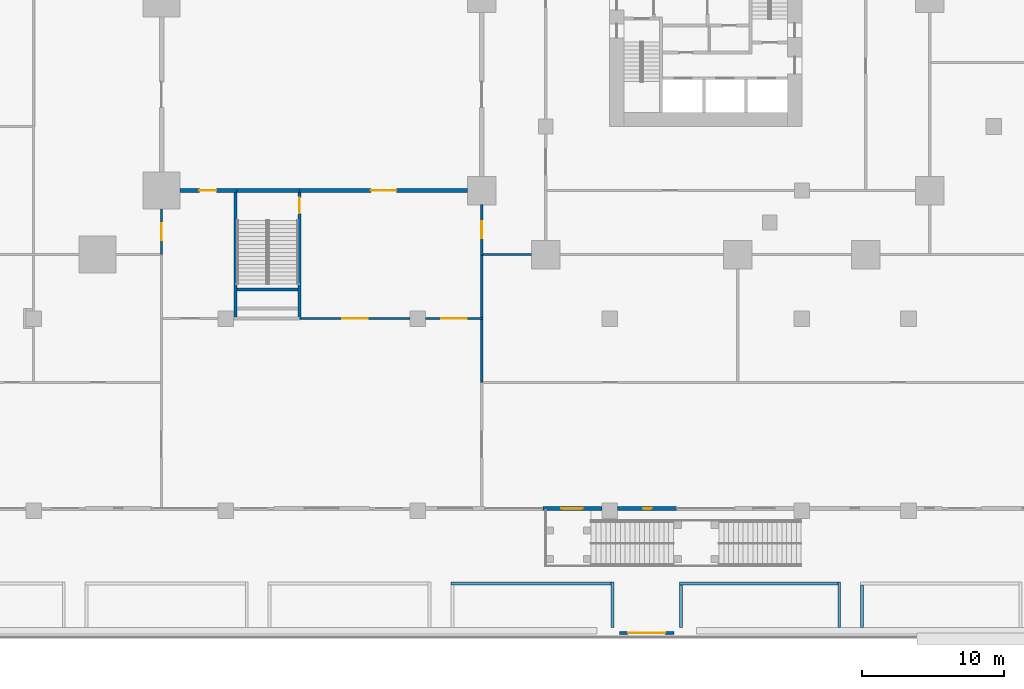
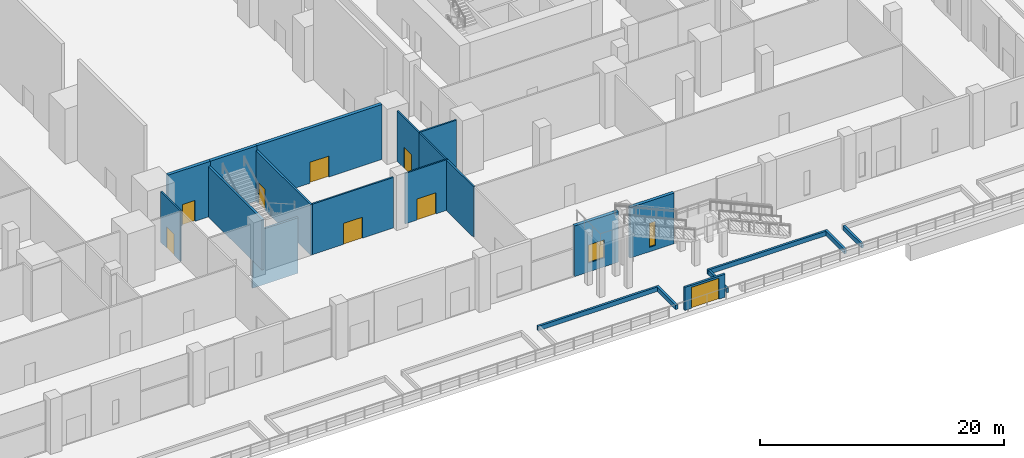
# One storey, part 28 of 47: 22 walls, 8 doors, 2 windows, 10 openings.
"""IFC4 building model written with IfcOpenShell, lengths in metres."""

from ifc_helpers import new_model, si_unit, direction, frame, frame_2d, origin, place, context, subcontext, project, spatial, rectangle, extrude, material, layer, layer_set, type_object, element, fill, save


model = new_model("IFC4")

# Units and contexts
model_context = context("Model", 3, precision=1e-05, world=origin(), true_north=direction((0.0, 1.0)))
body_context = subcontext(model_context, "Body", "Model", "MODEL_VIEW")
ifc_project = project(units=[si_unit("LENGTHUNIT", "METRE"), si_unit("AREAUNIT", "SQUARE_METRE"), si_unit("VOLUMEUNIT", "CUBIC_METRE"), si_unit("PLANEANGLEUNIT", "RADIAN"), si_unit("MASSUNIT", "GRAM", prefix="KILO")], contexts=[model_context])

# Site, building, storey
site_placement = place(None, origin())
site = spatial("IfcSite", under=ifc_project, at=site_placement, CompositionType="ELEMENT")
building_placement = place(site_placement, origin())
building = spatial("IfcBuilding", under=site, at=building_placement, Name="Altepetl Exchange Towers", CompositionType="ELEMENT")
storey_placement = place(building_placement, frame((0.0, 0.0, 6.0)))
storey = spatial("IfcBuildingStorey", under=building, at=storey_placement, Name="L01 Retail podium", CompositionType="ELEMENT", Elevation=6.0)

# Wall, opening, door
ifc_material_1 = material(Name="Reinforced concrete C35/45", Category="concrete")
ifc_layer_1 = layer(ifc_material_1, 0.300048828125)
ifc_layer_set_1 = layer_set([ifc_layer_1], Name="Reinforced concrete C35/45")
wall_type_1 = type_object("IfcWallType", Name="Exchange hall wall 300", PredefinedType="SOLIDWALL", material=ifc_layer_set_1)
wall_1_placement = place(storey_placement, frame((81.60009765625, 31.5, 0.0)))
wall_1 = element("IfcWall", 1, at=wall_1_placement, inside=storey, type_object=wall_type_1, Name="wall:P:L01:P009", PredefinedType="SOLIDWALL", context=body_context, shape_type="SweptSolid", body=[
    extrude(rectangle(XDim=11.90478515625, YDim=0.300048828125, at=frame_2d((5.952392578125, 0.0))), origin(), (0.0, 0.0, 1.0), 5.5),
])
opening_1_placement = place(wall_1_placement, frame((5.10009765625, 0.0, 0.0)))
opening_1 = element("IfcOpeningElement", 2, at=opening_1_placement, cuts=wall_1, Name="Opening L01.P032", PredefinedType="OPENING", context=body_context, shape_type="SweptSolid", body=[
    extrude(rectangle(XDim=1.800048828125, YDim=2.10009765625, at=frame_2d((0.89990234375, 1.050048828125))), frame((0.0, 0.16015625, 0.0), z_axis=(0.0, -1.0, 0.0), x_axis=(1.0, 0.0, 0.0)), (0.0, 0.0, 1.0), 0.320068359375),
])
ifc_material_2 = material(Name="Glazed aluminium and steel", Category="steel")
door_type_1 = type_object("IfcDoorType", Name="Podium fire door 1800 x 2100 double leaf", OperationType="DOUBLE_DOOR_SINGLE_SWING", PredefinedType="DOOR", material=ifc_material_2)
door_1_placement = place(opening_1_placement, frame((1.800048828125, 0.0, 0.0), x_axis=(-1.0, 0.0, 0.0)))
door_1 = element("IfcDoor", 3, at=door_1_placement, inside=storey, type_object=door_type_1, Name="door:P:L01:032", OperationType="DOUBLE_DOOR_SINGLE_SWING", OverallHeight=2.10009765625, OverallWidth=1.800048828125, PredefinedType="DOOR", context=body_context, shape_type="SweptSolid", body=[
    extrude(rectangle(XDim=1.800048828125, YDim=2.10009765625, at=frame_2d((0.89990234375, 1.050048828125))), frame((0.0, 0.02490234375, 0.0), z_axis=(0.0, -1.0, 0.0), x_axis=(1.0, 0.0, 0.0)), (0.0, 0.0, 1.0), 0.050048828125),
])
fill(opening_1, door_1)

wall_2_placement = place(storey_placement, frame((73.294921875, 31.5, 0.0)))
wall_2 = element("IfcWall", 4, at=wall_2_placement, inside=storey, type_object=wall_type_1, Name="wall:P:L01:P021", PredefinedType="SOLIDWALL", context=body_context, shape_type="SweptSolid", body=[
    extrude(rectangle(XDim=4.005126953125, YDim=0.300048828125, at=frame_2d((2.00244140625, 0.0))), origin(), (0.0, 0.0, 1.0), 5.5),
])
opening_2_placement = place(wall_2_placement, frame((1.35009765625, 0.0, 0.0)))
opening_2 = element("IfcOpeningElement", 5, at=opening_2_placement, cuts=wall_2, Name="Opening L01.P039", PredefinedType="OPENING", context=body_context, shape_type="SweptSolid", body=[
    extrude(rectangle(XDim=1.199951171875, YDim=2.10009765625, at=frame_2d((0.60009765625, 1.050048828125))), frame((0.0, 0.16015625, 0.0), z_axis=(0.0, -1.0, 0.0), x_axis=(1.0, 0.0, 0.0)), (0.0, 0.0, 1.0), 0.320068359375),
])
ifc_material_3 = material(Name="Steel fire door", Category="steel")
door_type_2 = type_object("IfcDoorType", Name="Podium fire door 1200 x 2100 double leaf", OperationType="DOUBLE_DOOR_SINGLE_SWING", PredefinedType="DOOR", material=ifc_material_3)
door_2_placement = place(opening_2_placement, frame((1.199951171875, 0.0, 0.0), x_axis=(-1.0, 0.0, 0.0)))
door_2 = element("IfcDoor", 6, at=door_2_placement, inside=storey, type_object=door_type_2, Name="door:P:L01:039", OperationType="DOUBLE_DOOR_SINGLE_SWING", OverallHeight=2.10009765625, OverallWidth=1.199951171875, PredefinedType="DOOR", context=body_context, shape_type="SweptSolid", body=[
    extrude(rectangle(XDim=1.199951171875, YDim=2.10009765625, at=frame_2d((0.60009765625, 1.050048828125))), frame((0.0, 0.02490234375, 0.0), z_axis=(0.0, -1.0, 0.0), x_axis=(1.0, 0.0, 0.0)), (0.0, 0.0, 1.0), 0.050048828125),
])
fill(opening_2, door_2)

# Wall
wall_3_placement = place(storey_placement, frame((77.199951171875, 31.5, 0.0)))
element("IfcWall", 7, at=wall_3_placement, inside=storey, type_object=wall_type_1, Name="wall:P:L01:P022", PredefinedType="SOLIDWALL", context=body_context, shape_type="SweptSolid", body=[
    extrude(rectangle(XDim=4.5, YDim=0.300048828125, at=frame_2d((2.25, 0.0))), origin(), (0.0, 0.0, 1.0), 5.5),
])

# Wall, opening, door
ifc_layer_2 = layer(ifc_material_1, 0.199951171875)
ifc_layer_set_2 = layer_set([ifc_layer_2], Name="Reinforced concrete C35/45")
wall_type_2 = type_object("IfcWallType", Name="Garden gate screen wall 200", PredefinedType="SOLIDWALL", material=ifc_layer_set_2)
wall_4_placement = place(storey_placement, frame((104.199951171875, 0.39990234375, 0.0)))
wall_4 = element("IfcWall", 8, at=wall_4_placement, inside=storey, type_object=wall_type_2, Name="wall:P:L01:gateG7", PredefinedType="SOLIDWALL", context=body_context, shape_type="SweptSolid", body=[
    extrude(rectangle(XDim=3.800048828125, YDim=0.199951171875, at=frame_2d((1.89990234375, 0.0))), origin(), (0.0, 0.0, 1.0), 2.300048828125),
])
opening_3_placement = place(wall_4_placement, frame((0.60009765625, 0.0, 0.0)))
opening_3 = element("IfcOpeningElement", 9, at=opening_3_placement, cuts=wall_4, Name="Opening L01.P062", PredefinedType="OPENING", context=body_context, shape_type="SweptSolid", body=[
    extrude(rectangle(XDim=2.60009765625, YDim=2.10009765625, at=frame_2d((1.300048828125, 1.050048828125))), frame((0.0, 0.10986328125, 0.0), z_axis=(0.0, -1.0, 0.0), x_axis=(1.0, 0.0, 0.0)), (0.0, 0.0, 1.0), 0.219970703125),
])
ifc_material_4 = material(Name="Painted steel bars and timber", Category="steel")
door_type_3 = type_object("IfcDoorType", Name="Garden gate 2600 x 2100 double leaf", OperationType="DOUBLE_DOOR_SINGLE_SWING", PredefinedType="GATE", material=ifc_material_4)
door_3_placement = place(opening_3_placement, frame((2.60009765625, 0.0, 0.0), x_axis=(-1.0, 0.0, 0.0)))
door_3 = element("IfcDoor", 10, at=door_3_placement, inside=storey, type_object=door_type_3, Name="door:P:L01:062", OperationType="DOUBLE_DOOR_SINGLE_SWING", OverallHeight=2.10009765625, OverallWidth=2.60009765625, PredefinedType="GATE", context=body_context, shape_type="SweptSolid", body=[
    extrude(rectangle(XDim=2.60009765625, YDim=2.10009765625, at=frame_2d((1.300048828125, 1.050048828125))), frame((0.0, 0.02490234375, 0.0), z_axis=(0.0, -1.0, 0.0), x_axis=(1.0, 0.0, 0.0)), (0.0, 0.0, 1.0), 0.050048828125),
])
fill(opening_3, door_3)

# Walls
ifc_layer_3 = layer(ifc_material_1, 0.199951171875)
ifc_layer_set_3 = layer_set([ifc_layer_3], Name="Reinforced concrete C35/45")
wall_type_3 = type_object("IfcWallType", Name="Landing support wall 200", PredefinedType="SOLIDWALL", material=ifc_layer_set_3)
wall_5_placement = place(storey_placement, frame((81.60009765625, 24.5400390625, -3.0), z_axis=(0.0, 0.0, 1.0), x_axis=(-1.0, 0.0, 0.0)))
element("IfcWall", 11, at=wall_5_placement, inside=storey, type_object=wall_type_3, Name="wall:P:L01:PX1sup0", PredefinedType="SOLIDWALL", context=body_context, shape_type="SweptSolid", body=[
    extrude(rectangle(XDim=4.300048828125, YDim=0.199951171875, at=frame_2d((2.14990234375, 0.0))), origin(), (0.0, 0.0, 1.0), 5.550048828125),
])
ifc_layer_4 = layer(ifc_material_1, 0.199951171875)
ifc_layer_set_4 = layer_set([ifc_layer_4], Name="Reinforced concrete C35/45")
wall_type_4 = type_object("IfcWallType", Name="Planting bed curb 200", PredefinedType="SOLIDWALL", material=ifc_layer_set_4)
wall_6_placement = place(storey_placement, frame((119.63330078125, 0.77490234375, 0.0), z_axis=(0.0, 0.0, 1.0), x_axis=(0.0, 1.0, 0.0)))
element("IfcWall", 12, at=wall_6_placement, inside=storey, type_object=wall_type_4, Name="wall:P:L01:CB01e", PredefinedType="SOLIDWALL", context=body_context, shape_type="SweptSolid", body=[
    extrude(rectangle(XDim=3.2001953125, YDim=0.199951171875, at=frame_2d((1.60009765625, 0.0))), origin(), (0.0, 0.0, 1.0), 0.449951171875),
])
wall_7_placement = place(storey_placement, frame((108.39990234375, 3.875, 0.0)))
element("IfcWall", 13, at=wall_7_placement, inside=storey, type_object=wall_type_4, Name="wall:P:L01:CB01n", PredefinedType="SOLIDWALL", context=body_context, shape_type="SweptSolid", body=[
    extrude(rectangle(XDim=11.13330078125, YDim=0.199951171875, at=frame_2d((5.566650390625, 0.0))), origin(), (0.0, 0.0, 1.0), 0.449951171875),
])
for number, where, z_axis, x_axis, name in (
    (14, (108.5, 0.77490234375, 0.0), (0.0, 0.0, 1.0), (0.0, 1.0, 0.0), "wall:P:L01:CB01w"),
    (15, (121.2333984375, 0.77490234375, 0.0), (0.0, 0.0, 1.0), (0.0, 1.0, 0.0), "wall:P:L01:CB02w"),
):
    element("IfcWall", number, at=place(storey_placement, frame(where, z_axis=z_axis, x_axis=x_axis)), inside=storey, type_object=wall_type_4, Name=name, PredefinedType="SOLIDWALL", context=body_context, shape_type="SweptSolid", body=[
        extrude(rectangle(XDim=3.0, YDim=0.199951171875, at=frame_2d((1.5, 0.0))), origin(), (0.0, 0.0, 1.0), 0.449951171875),
    ])
wall_8_placement = place(storey_placement, frame((103.699951171875, 0.77490234375, 0.0), z_axis=(0.0, 0.0, 1.0), x_axis=(0.0, 1.0, 0.0)))
element("IfcWall", 16, at=wall_8_placement, inside=storey, type_object=wall_type_4, Name="wall:P:L01:CB08e", PredefinedType="SOLIDWALL", context=body_context, shape_type="SweptSolid", body=[
    extrude(rectangle(XDim=3.2001953125, YDim=0.199951171875, at=frame_2d((1.60009765625, 0.0))), origin(), (0.0, 0.0, 1.0), 0.449951171875),
])
wall_9_placement = place(storey_placement, frame((92.340087890625, 3.875, 0.0)))
element("IfcWall", 17, at=wall_9_placement, inside=storey, type_object=wall_type_4, Name="wall:P:L01:CB08n", PredefinedType="SOLIDWALL", context=body_context, shape_type="SweptSolid", body=[
    extrude(rectangle(XDim=11.260009765625, YDim=0.199951171875, at=frame_2d((5.6298828125, 0.0))), origin(), (0.0, 0.0, 1.0), 0.449951171875),
])

# Wall, opening, door
ifc_material_5 = material(Name="Gypsum board on steel studs", Category="steel")
ifc_layer_5 = layer(ifc_material_5, 0.14990234375)
ifc_layer_set_5 = layer_set([ifc_layer_5], Name="Gypsum board on steel studs")
wall_type_5 = type_object("IfcWallType", Name="Podium partition 150", PredefinedType="PARTITIONING", material=ifc_layer_set_5)
wall_10_placement = place(storey_placement, frame((81.800048828125, 22.5, 0.0)))
wall_10 = element("IfcWall", 18, at=wall_10_placement, inside=storey, type_object=wall_type_5, Name="wall:P:L01:P001", PredefinedType="PARTITIONING", context=body_context, shape_type="SweptSolid", body=[
    extrude(rectangle(XDim=7.655029296875, YDim=0.14990234375, at=frame_2d((3.82763671875, 0.0))), origin(), (0.0, 0.0, 1.0), 5.050048828125),
])
opening_4_placement = place(wall_10_placement, frame((2.89990234375, 0.0, 0.0)))
opening_4 = element("IfcOpeningElement", 19, at=opening_4_placement, cuts=wall_10, Name="Opening L01.P027", PredefinedType="OPENING", context=body_context, shape_type="SweptSolid", body=[
    extrude(rectangle(XDim=1.800048828125, YDim=2.10009765625, at=frame_2d((0.89990234375, 1.050048828125))), frame((0.0, 0.0849609375, 0.0), z_axis=(0.0, -1.0, 0.0), x_axis=(1.0, 0.0, 0.0)), (0.0, 0.0, 1.0), 0.169921875),
])
door_4_placement = place(opening_4_placement, origin())
door_4 = element("IfcDoor", 20, at=door_4_placement, inside=storey, type_object=door_type_1, Name="door:P:L01:027", OperationType="DOUBLE_DOOR_SINGLE_SWING", OverallHeight=2.10009765625, OverallWidth=1.800048828125, PredefinedType="DOOR", context=body_context, shape_type="SweptSolid", body=[
    extrude(rectangle(XDim=1.800048828125, YDim=2.10009765625, at=frame_2d((0.89990234375, 1.050048828125))), frame((0.0, 0.02490234375, 0.0), z_axis=(0.0, -1.0, 0.0), x_axis=(1.0, 0.0, 0.0)), (0.0, 0.0, 1.0), 0.050048828125),
])
fill(opening_4, door_4)

wall_11_placement = place(storey_placement, frame((90.544921875, 22.5, 0.0)))
wall_11 = element("IfcWall", 21, at=wall_11_placement, inside=storey, type_object=wall_type_5, Name="wall:P:L01:P002", PredefinedType="PARTITIONING", context=body_context, shape_type="SweptSolid", body=[
    extrude(rectangle(XDim=4.030029296875, YDim=0.14990234375, at=frame_2d((2.01513671875, 0.0))), origin(), (0.0, 0.0, 1.0), 5.050048828125),
])
opening_5_placement = place(wall_11_placement, frame((1.10009765625, 0.0, 0.0)))
opening_5 = element("IfcOpeningElement", 22, at=opening_5_placement, cuts=wall_11, Name="Opening L01.P028", PredefinedType="OPENING", context=body_context, shape_type="SweptSolid", body=[
    extrude(rectangle(XDim=1.800048828125, YDim=2.10009765625, at=frame_2d((0.89990234375, 1.050048828125))), frame((0.0, 0.0849609375, 0.0), z_axis=(0.0, -1.0, 0.0), x_axis=(1.0, 0.0, 0.0)), (0.0, 0.0, 1.0), 0.169921875),
])
door_5_placement = place(opening_5_placement, origin())
door_5 = element("IfcDoor", 23, at=door_5_placement, inside=storey, type_object=door_type_1, Name="door:P:L01:028", OperationType="DOUBLE_DOOR_SINGLE_SWING", OverallHeight=2.10009765625, OverallWidth=1.800048828125, PredefinedType="DOOR", context=body_context, shape_type="SweptSolid", body=[
    extrude(rectangle(XDim=1.800048828125, YDim=2.10009765625, at=frame_2d((0.89990234375, 1.050048828125))), frame((0.0, 0.02490234375, 0.0), z_axis=(0.0, -1.0, 0.0), x_axis=(1.0, 0.0, 0.0)), (0.0, 0.0, 1.0), 0.050048828125),
])
fill(opening_5, door_5)

# Wall
wall_12_placement = place(storey_placement, frame((94.5, 18.0, 0.0), z_axis=(0.0, 0.0, 1.0), x_axis=(0.0, 1.0, 0.0)))
element("IfcWall", 24, at=wall_12_placement, inside=storey, type_object=wall_type_5, Name="wall:P:L01:P006", PredefinedType="PARTITIONING", context=body_context, shape_type="SweptSolid", body=[
    extrude(rectangle(XDim=4.425048828125, YDim=0.14990234375, at=frame_2d((2.21240234375, 0.0))), origin(), (0.0, 0.0, 1.0), 5.050048828125),
])

# Wall, opening, door
wall_13_placement = place(storey_placement, frame((94.5, 26.925048828125, 0.0), z_axis=(0.0, 0.0, 1.0), x_axis=(0.0, 1.0, 0.0)))
wall_13 = element("IfcWall", 25, at=wall_13_placement, inside=storey, type_object=wall_type_5, Name="wall:P:L01:P010", PredefinedType="PARTITIONING", context=body_context, shape_type="SweptSolid", body=[
    extrude(rectangle(XDim=3.579833984375, YDim=0.14990234375, at=frame_2d((1.7900390625, 0.0))), origin(), (0.0, 0.0, 1.0), 5.050048828125),
])
opening_6_placement = place(wall_13_placement, frame((1.22509765625, 0.0, 0.0)))
opening_6 = element("IfcOpeningElement", 26, at=opening_6_placement, cuts=wall_13, Name="Opening L01.P033", PredefinedType="OPENING", context=body_context, shape_type="SweptSolid", body=[
    extrude(rectangle(XDim=1.199951171875, YDim=2.10009765625, at=frame_2d((0.60009765625, 1.050048828125))), frame((0.0, 0.0849609375, 0.0), z_axis=(0.0, -1.0, 0.0), x_axis=(1.0, 0.0, 0.0)), (0.0, 0.0, 1.0), 0.169921875),
])
door_6_placement = place(opening_6_placement, origin())
door_6 = element("IfcDoor", 27, at=door_6_placement, inside=storey, type_object=door_type_2, Name="door:P:L01:033", OperationType="DOUBLE_DOOR_SINGLE_SWING", OverallHeight=2.10009765625, OverallWidth=1.199951171875, PredefinedType="DOOR", context=body_context, shape_type="SweptSolid", body=[
    extrude(rectangle(XDim=1.199951171875, YDim=2.10009765625, at=frame_2d((0.60009765625, 1.050048828125))), frame((0.0, 0.02490234375, 0.0), z_axis=(0.0, -1.0, 0.0), x_axis=(1.0, 0.0, 0.0)), (0.0, 0.0, 1.0), 0.050048828125),
])
fill(opening_6, door_6)

# Wall
wall_14_placement = place(storey_placement, frame((94.5, 22.5, 0.0), z_axis=(0.0, 0.0, 1.0), x_axis=(0.0, 1.0, 0.0)))
element("IfcWall", 28, at=wall_14_placement, inside=storey, type_object=wall_type_5, Name="wall:P:L01:P011", PredefinedType="PARTITIONING", context=body_context, shape_type="SweptSolid", body=[
    extrude(rectangle(XDim=4.5, YDim=0.14990234375, at=frame_2d((2.25, 0.0))), origin(), (0.0, 0.0, 1.0), 5.050048828125),
])

# Wall, opening, door
wall_15_placement = place(storey_placement, frame((72.0, 27.0, 0.0), z_axis=(0.0, 0.0, 1.0), x_axis=(0.0, 1.0, 0.0)))
wall_15 = element("IfcWall", 29, at=wall_15_placement, inside=storey, type_object=wall_type_5, Name="wall:P:L01:P113", PredefinedType="PARTITIONING", context=body_context, shape_type="SweptSolid", body=[
    extrude(rectangle(XDim=3.205078125, YDim=0.14990234375, at=frame_2d((1.6025390625, 0.0))), origin(), (0.0, 0.0, 1.0), 5.050048828125),
])
opening_7_placement = place(wall_15_placement, frame((1.0, 0.0, 0.0)))
opening_7 = element("IfcOpeningElement", 30, at=opening_7_placement, cuts=wall_15, Name="Opening L01.P052", PredefinedType="OPENING", context=body_context, shape_type="SweptSolid", body=[
    extrude(rectangle(XDim=1.199951171875, YDim=2.10009765625, at=frame_2d((0.60009765625, 1.050048828125))), frame((0.0, 0.0849609375, 0.0), z_axis=(0.0, -1.0, 0.0), x_axis=(1.0, 0.0, 0.0)), (0.0, 0.0, 1.0), 0.169921875),
])
door_7_placement = place(opening_7_placement, frame((1.199951171875, 0.0, 0.0), x_axis=(-1.0, 0.0, 0.0)))
door_7 = element("IfcDoor", 31, at=door_7_placement, inside=storey, type_object=door_type_2, Name="door:P:L01:052", OperationType="DOUBLE_DOOR_SINGLE_SWING", OverallHeight=2.10009765625, OverallWidth=1.199951171875, PredefinedType="DOOR", context=body_context, shape_type="SweptSolid", body=[
    extrude(rectangle(XDim=1.199951171875, YDim=2.10009765625, at=frame_2d((0.60009765625, 1.050048828125))), frame((0.0, 0.02490234375, 0.0), z_axis=(0.0, -1.0, 0.0), x_axis=(1.0, 0.0, 0.0)), (0.0, 0.0, 1.0), 0.050048828125),
])
fill(opening_7, door_7)

# Wall
wall_16_placement = place(storey_placement, frame((94.574951171875, 27.0, 0.0)))
element("IfcWall", 32, at=wall_16_placement, inside=storey, type_object=wall_type_5, Name="wall:P:L01:P127", PredefinedType="PARTITIONING", context=body_context, shape_type="SweptSolid", body=[
    extrude(rectangle(XDim=3.429931640625, YDim=0.14990234375, at=frame_2d((1.71484375, 0.0))), origin(), (0.0, 0.0, 1.0), 5.050048828125),
])

# Wall, opening, door
ifc_layer_6 = layer(ifc_material_1, 0.199951171875)
ifc_layer_set_6 = layer_set([ifc_layer_6], Name="Reinforced concrete C35/45")
wall_type_6 = type_object("IfcWallType", Name="Stair enclosure wall 200", PredefinedType="SOLIDWALL", material=ifc_layer_set_6)
wall_17_placement = place(storey_placement, frame((81.699951171875, 22.425048828125, 0.0), z_axis=(0.0, 0.0, 1.0), x_axis=(0.0, 1.0, 0.0)))
wall_17 = element("IfcWall", 33, at=wall_17_placement, inside=storey, type_object=wall_type_6, Name="wall:P:L01:P012", PredefinedType="SOLIDWALL", context=body_context, shape_type="SweptSolid", body=[
    extrude(rectangle(XDim=8.925048828125, YDim=0.199951171875, at=frame_2d((4.46240234375, 0.0))), origin(), (0.0, 0.0, 1.0), 5.050048828125),
])
opening_8_placement = place(wall_17_placement, frame((7.47509765625, 0.0, 0.0)))
opening_8 = element("IfcOpeningElement", 34, at=opening_8_placement, cuts=wall_17, Name="Opening L01.P023", PredefinedType="OPENING", context=body_context, shape_type="SweptSolid", body=[
    extrude(rectangle(XDim=1.10009765625, YDim=2.10009765625, at=frame_2d((0.550048828125, 1.050048828125))), frame((0.0, 0.10986328125, 0.0), z_axis=(0.0, -1.0, 0.0), x_axis=(1.0, 0.0, 0.0)), (0.0, 0.0, 1.0), 0.219970703125),
])
door_type_4 = type_object("IfcDoorType", Name="Podium fire door 1100 x 2100 single leaf", OperationType="SINGLE_SWING_LEFT", PredefinedType="DOOR", material=ifc_material_3)
door_8_placement = place(opening_8_placement, origin())
door_8 = element("IfcDoor", 35, at=door_8_placement, inside=storey, type_object=door_type_4, Name="door:P:L01:023", OperationType="SINGLE_SWING_LEFT", OverallHeight=2.10009765625, OverallWidth=1.10009765625, PredefinedType="DOOR", context=body_context, shape_type="SweptSolid", body=[
    extrude(rectangle(XDim=1.10009765625, YDim=2.10009765625, at=frame_2d((0.550048828125, 1.050048828125))), frame((0.0, 0.02490234375, 0.0), z_axis=(0.0, -1.0, 0.0), x_axis=(1.0, 0.0, 0.0)), (0.0, 0.0, 1.0), 0.050048828125),
])
fill(opening_8, door_8)

# Wall
wall_18_placement = place(storey_placement, frame((77.199951171875, 22.60009765625, 0.0), z_axis=(0.0, 0.0, 1.0), x_axis=(0.0, 1.0, 0.0)))
element("IfcWall", 36, at=wall_18_placement, inside=storey, type_object=wall_type_6, Name="wall:P:L01:P153", PredefinedType="SOLIDWALL", context=body_context, shape_type="SweptSolid", body=[
    extrude(rectangle(XDim=8.75, YDim=0.199951171875, at=frame_2d((4.375, 0.0))), origin(), (0.0, 0.0, 1.0), 5.050048828125),
])

# Wall, opening, window
ifc_material_6 = material(Name="Cantera limestone cladding", Category="masonry")
ifc_layer_7 = layer(ifc_material_6, 0.300048828125)
ifc_layer_set_7 = layer_set([ifc_layer_7], Name="Cantera limestone cladding")
wall_type_7 = type_object("IfcWallType", Name="Stone wall panel 300", PredefinedType="ELEMENTEDWALL", material=ifc_layer_set_7)
wall_19_placement = place(storey_placement, frame((98.800048828125, 9.14990234375, 0.0)))
wall_19 = element("IfcWall", 37, at=wall_19_placement, inside=storey, type_object=wall_type_7, Name="Stone wall panel", PredefinedType="ELEMENTEDWALL", context=body_context, shape_type="SweptSolid", body=[
    extrude(rectangle(XDim=4.14990234375, YDim=0.300048828125, at=frame_2d((2.074951171875, 0.0))), origin(), (0.0, 0.0, 1.0), 5.050048828125),
])
opening_9_placement = place(wall_19_placement, frame((1.300048828125, 0.0, 0.89990234375)))
opening_9 = element("IfcOpeningElement", 38, at=opening_9_placement, cuts=wall_19, Name="Opening W2", PredefinedType="OPENING", context=body_context, shape_type="SweptSolid", body=[
    extrude(rectangle(XDim=1.5, YDim=1.800048828125, at=frame_2d((0.75, 0.89990234375))), frame((0.0, 0.16015625, 0.0), z_axis=(0.0, -1.0, 0.0), x_axis=(1.0, 0.0, 0.0)), (0.0, 0.0, 1.0), 0.320068359375),
])
ifc_material_7 = material(Name="Timber and glass", Category="wood")
window_type_1 = type_object("IfcWindowType", Name="Punched window 1500x1800", PartitioningType="SINGLE_PANEL", PredefinedType="WINDOW", material=ifc_material_7)
window_1_placement = place(opening_9_placement, origin())
window_1 = element("IfcWindow", 39, at=window_1_placement, inside=storey, type_object=window_type_1, Name="Window", OverallHeight=1.800048828125, OverallWidth=1.5, PartitioningType="SINGLE_PANEL", PredefinedType="WINDOW", context=body_context, shape_type="SweptSolid", body=[
    extrude(rectangle(XDim=1.5, YDim=1.800048828125, at=frame_2d((0.75, 0.89990234375))), frame((0.0, 0.030029296875, 0.0), z_axis=(0.0, -1.0, 0.0), x_axis=(1.0, 0.0, 0.0)), (0.0, 0.0, 1.0), 0.06005859375),
])
fill(opening_9, window_1)

wall_20_placement = place(storey_placement, frame((104.050048828125, 9.14990234375, 0.0)))
wall_20 = element("IfcWall", 40, at=wall_20_placement, inside=storey, type_object=wall_type_7, Name="Stone wall panel", PredefinedType="ELEMENTEDWALL", context=body_context, shape_type="SweptSolid", body=[
    extrude(rectangle(XDim=4.14990234375, YDim=0.300048828125, at=frame_2d((2.074951171875, 0.0))), origin(), (0.0, 0.0, 1.0), 5.050048828125),
])
opening_10_placement = place(wall_20_placement, frame((1.800048828125, 0.0, 0.449951171875)))
opening_10 = element("IfcOpeningElement", 41, at=opening_10_placement, cuts=wall_20, Name="Opening W3", PredefinedType="OPENING", context=body_context, shape_type="SweptSolid", body=[
    extrude(rectangle(XDim=0.60009765625, YDim=2.39990234375, at=frame_2d((0.300048828125, 1.199951171875))), frame((0.0, 0.16015625, 0.0), z_axis=(0.0, -1.0, 0.0), x_axis=(1.0, 0.0, 0.0)), (0.0, 0.0, 1.0), 0.320068359375),
])
ifc_material_8 = material(Name="Aluminium 6063-T6 and glass", Category="aluminium")
window_type_2 = type_object("IfcWindowType", Name="Tall slot window 600x2400", PartitioningType="SINGLE_PANEL", PredefinedType="WINDOW", material=ifc_material_8)
window_2_placement = place(opening_10_placement, origin())
window_2 = element("IfcWindow", 42, at=window_2_placement, inside=storey, type_object=window_type_2, Name="Window", OverallHeight=2.39990234375, OverallWidth=0.60009765625, PartitioningType="SINGLE_PANEL", PredefinedType="WINDOW", context=body_context, shape_type="SweptSolid", body=[
    extrude(rectangle(XDim=0.60009765625, YDim=2.39990234375, at=frame_2d((0.300048828125, 1.199951171875))), frame((0.0, 0.030029296875, 0.0), z_axis=(0.0, -1.0, 0.0), x_axis=(1.0, 0.0, 0.0)), (0.0, 0.0, 1.0), 0.06005859375),
])
fill(opening_10, window_2)

save(model, "model.ifc")
